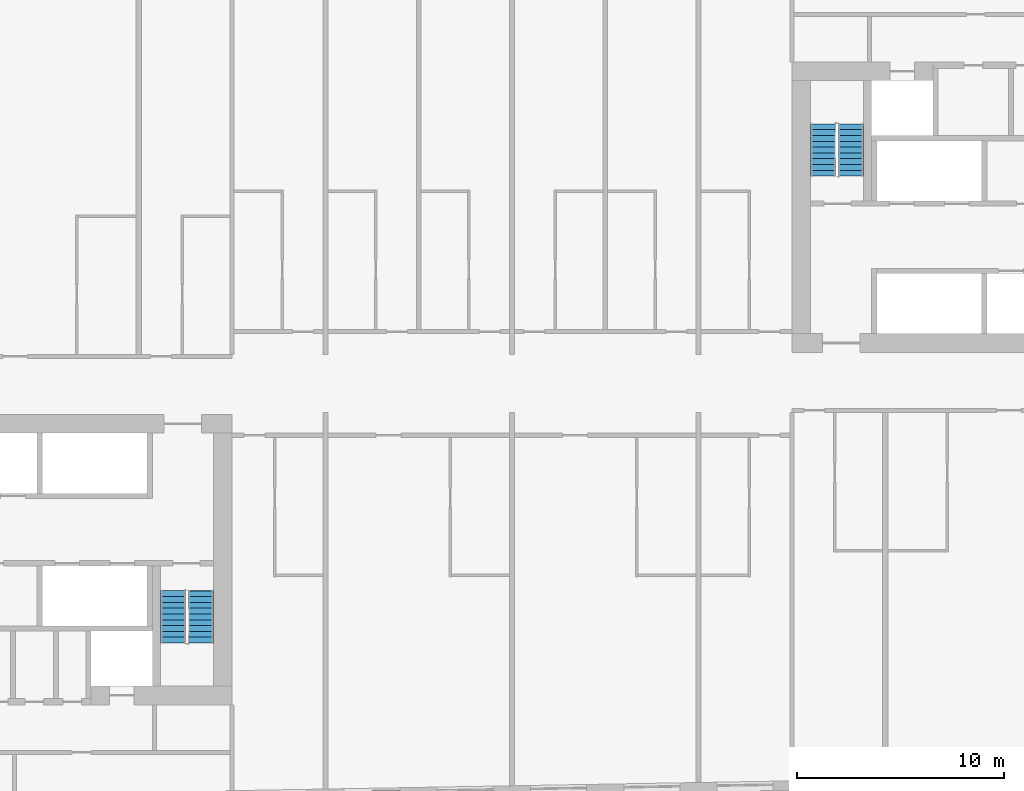
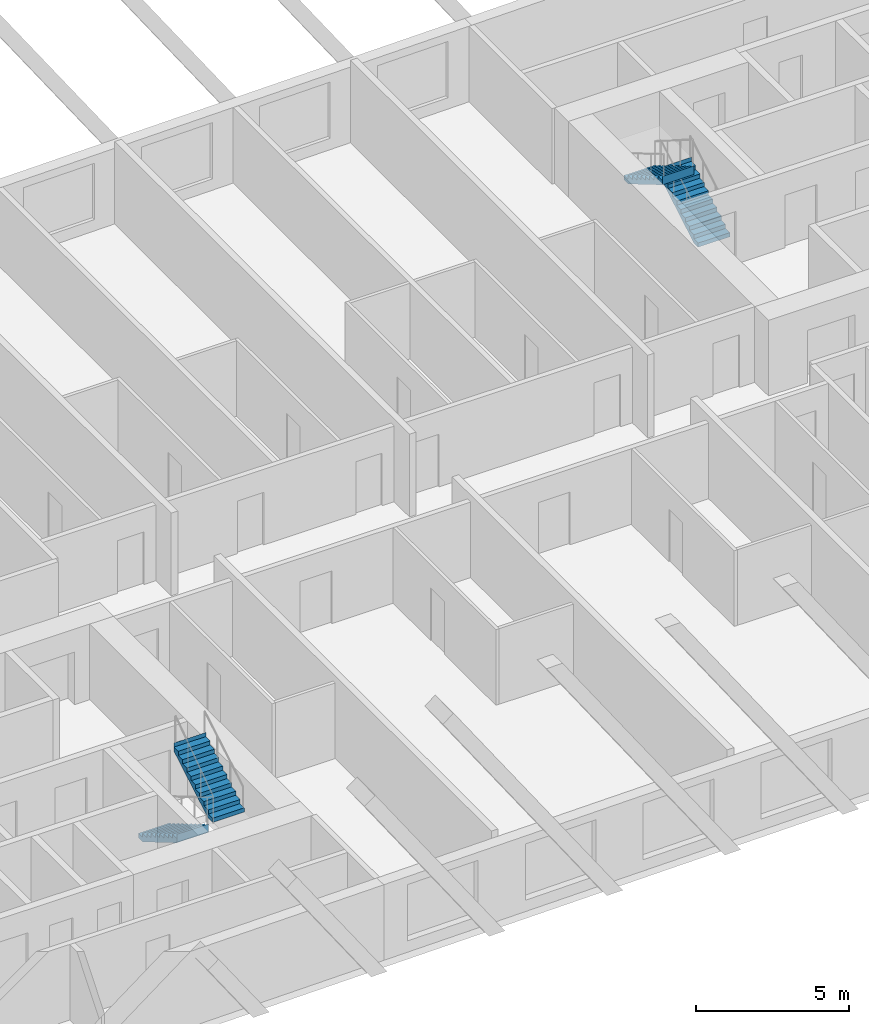
# One storey, part 9 of 12: 4 stair flights, 2 elements without a shape of their own.
"""IFC4 building model written with IfcOpenShell, lengths in metres."""

from ifc_helpers import new_model, si_unit, direction, frame, origin, place, context, subcontext, project, spatial, faceted_brep, material, type_object, element, aggregate, save


model = new_model("IFC4")

# Units and contexts
model_context = context("Model", 3, precision=1e-05, world=origin(), true_north=direction((0.0, 1.0)))
body_context = subcontext(model_context, "Body", "Model", "MODEL_VIEW")
ifc_project = project(units=[si_unit("LENGTHUNIT", "METRE"), si_unit("AREAUNIT", "SQUARE_METRE"), si_unit("VOLUMEUNIT", "CUBIC_METRE"), si_unit("PLANEANGLEUNIT", "RADIAN"), si_unit("MASSUNIT", "GRAM", prefix="KILO")], contexts=[model_context])

# Site, building, storey
site_placement = place(None, origin())
site = spatial("IfcSite", under=ifc_project, at=site_placement, CompositionType="ELEMENT")
building_placement = place(site_placement, origin())
building = spatial("IfcBuilding", under=site, at=building_placement, Name="Kajstack Hotel Tower", CompositionType="ELEMENT")
storey_placement = place(building_placement, frame((0.0, 0.0, 217.699951171875)))
storey = spatial("IfcBuildingStorey", under=building, at=storey_placement, Name="L52", CompositionType="ELEMENT", Elevation=217.699951171875)

# Stair, stair flights
ifc_material = material(Name="Concrete C40/50", Category="concrete")
stair_type = type_object("IfcStairType", Name="Exit stair 1200", PredefinedType="HALF_TURN_STAIR", material=ifc_material)
stair_1_placement = place(storey_placement, origin())
stair_1 = element("IfcStair", 1, at=stair_1_placement, inside=storey, type_object=stair_type, Name="L52 stair W2", PredefinedType="HALF_TURN_STAIR")
stair_flight_type = type_object("IfcStairFlightType", Name="Exit stair flight 1200", PredefinedType="STRAIGHT", material=ifc_material)
stair_flight_1_placement = place(storey_placement, frame((-16.35009765625, -10.0, 0.0), z_axis=(0.0, 0.0, 1.0), x_axis=(0.0, -1.0, 0.0)))
stair_flight_1 = element("IfcStairFlight", 2, at=stair_flight_1_placement, type_object=stair_flight_type, Name="W2 flight 1", NumberOfRisers=10, NumberOfTreads=9, PredefinedType="STRAIGHT", RiserHeight=0.165, TreadLength=0.28, context=body_context, shape_type="Brep", body=[
    faceted_brep([(0.295654296875, -0.60009765625, 0.0), (2.5205078125, -0.60009765625, 1.31103515625), (2.5205078125, -0.60009765625, 1.64990234375), (2.52001953125, -0.60009765625, 1.64990234375), (2.52001953125, -0.60009765625, 1.485107421875), (2.239990234375, -0.60009765625, 1.485107421875), (2.239990234375, -0.60009765625, 1.320068359375), (1.9599609375, -0.60009765625, 1.320068359375), (1.9599609375, -0.60009765625, 1.155029296875), (1.679931640625, -0.60009765625, 1.155029296875), (1.679931640625, -0.60009765625, 0.989990234375), (1.39990234375, -0.60009765625, 0.989990234375), (1.39990234375, -0.60009765625, 0.824951171875), (1.1201171875, -0.60009765625, 0.824951171875), (1.1201171875, -0.60009765625, 0.659912109375), (0.840087890625, -0.60009765625, 0.659912109375), (0.840087890625, -0.60009765625, 0.4951171875), (0.56005859375, -0.60009765625, 0.4951171875), (0.56005859375, -0.60009765625, 0.330078125), (0.280029296875, -0.60009765625, 0.330078125), (0.280029296875, -0.60009765625, 0.1650390625), (-0.00048828125, -0.60009765625, 0.1650390625), (-0.00048828125, -0.60009765625, 0.0), (-0.00048828125, 0.60009765625, 0.0), (-0.00048828125, 0.60009765625, 0.1650390625), (0.280029296875, 0.60009765625, 0.1650390625), (0.280029296875, 0.60009765625, 0.330078125), (0.56005859375, 0.60009765625, 0.330078125), (0.56005859375, 0.60009765625, 0.4951171875), (0.840087890625, 0.60009765625, 0.4951171875), (0.840087890625, 0.60009765625, 0.659912109375), (1.1201171875, 0.60009765625, 0.659912109375), (1.1201171875, 0.60009765625, 0.824951171875), (1.39990234375, 0.60009765625, 0.824951171875), (1.39990234375, 0.60009765625, 0.989990234375), (1.679931640625, 0.60009765625, 0.989990234375), (1.679931640625, 0.60009765625, 1.155029296875), (1.9599609375, 0.60009765625, 1.155029296875), (1.9599609375, 0.60009765625, 1.320068359375), (2.239990234375, 0.60009765625, 1.320068359375), (2.239990234375, 0.60009765625, 1.485107421875), (2.52001953125, 0.60009765625, 1.485107421875), (2.52001953125, 0.60009765625, 1.64990234375), (2.5205078125, 0.60009765625, 1.64990234375), (2.5205078125, 0.60009765625, 1.31103515625), (0.295654296875, 0.60009765625, 0.0), (-0.00048828125, -0.300048828125, 0.1650390625), (-0.00048828125, 0.0, 0.1650390625), (-0.00048828125, 0.300048828125, 0.1650390625), (-0.00048828125, 0.300048828125, 0.0), (-0.00048828125, 0.0, 0.0), (-0.00048828125, -0.300048828125, 0.0), (0.280029296875, -0.300048828125, 0.1650390625), (0.280029296875, 0.0, 0.1650390625), (0.280029296875, 0.300048828125, 0.1650390625), (0.280029296875, -0.300048828125, 0.330078125), (0.280029296875, 0.0, 0.330078125), (0.280029296875, 0.300048828125, 0.330078125), (0.56005859375, -0.300048828125, 0.330078125), (0.56005859375, 0.0, 0.330078125), (0.56005859375, 0.300048828125, 0.330078125), (0.56005859375, -0.300048828125, 0.4951171875), (0.56005859375, 0.0, 0.4951171875), (0.56005859375, 0.300048828125, 0.4951171875), (0.840087890625, -0.300048828125, 0.4951171875), (0.840087890625, 0.0, 0.4951171875), (0.840087890625, 0.300048828125, 0.4951171875), (0.840087890625, -0.300048828125, 0.659912109375), (0.840087890625, 0.0, 0.659912109375), (0.840087890625, 0.300048828125, 0.659912109375), (1.1201171875, -0.300048828125, 0.659912109375), (1.1201171875, 0.0, 0.659912109375), (1.1201171875, 0.300048828125, 0.659912109375), (1.1201171875, -0.300048828125, 0.824951171875), (1.1201171875, 0.0, 0.824951171875), (1.1201171875, 0.300048828125, 0.824951171875), (1.39990234375, -0.300048828125, 0.824951171875), (1.39990234375, 0.0, 0.824951171875), (1.39990234375, 0.300048828125, 0.824951171875), (1.39990234375, -0.300048828125, 0.989990234375), (1.39990234375, 0.0, 0.989990234375), (1.39990234375, 0.300048828125, 0.989990234375), (1.679931640625, -0.300048828125, 0.989990234375), (1.679931640625, 0.0, 0.989990234375), (1.679931640625, 0.300048828125, 0.989990234375), (1.679931640625, -0.300048828125, 1.155029296875), (1.679931640625, 0.0, 1.155029296875), (1.679931640625, 0.300048828125, 1.155029296875), (1.9599609375, -0.300048828125, 1.155029296875), (1.9599609375, 0.0, 1.155029296875), (1.9599609375, 0.300048828125, 1.155029296875), (1.9599609375, -0.300048828125, 1.320068359375), (1.9599609375, 0.0, 1.320068359375), (1.9599609375, 0.300048828125, 1.320068359375), (2.239990234375, -0.300048828125, 1.320068359375), (2.239990234375, 0.0, 1.320068359375), (2.239990234375, 0.300048828125, 1.320068359375), (2.239990234375, -0.300048828125, 1.485107421875), (2.239990234375, 0.0, 1.485107421875), (2.239990234375, 0.300048828125, 1.485107421875), (2.52001953125, -0.300048828125, 1.485107421875), (2.52001953125, 0.0, 1.485107421875), (2.52001953125, 0.300048828125, 1.485107421875), (2.52001953125, -0.300048828125, 1.64990234375), (2.52001953125, 0.0, 1.64990234375), (2.52001953125, 0.300048828125, 1.64990234375), (2.5205078125, -0.300048828125, 1.64990234375), (2.5205078125, 0.0, 1.64990234375), (2.5205078125, 0.300048828125, 1.64990234375), (2.5205078125, -0.300048828125, 1.31103515625), (2.5205078125, 0.0, 1.31103515625), (2.5205078125, 0.300048828125, 1.31103515625), (0.295654296875, -0.300048828125, 0.0), (0.295654296875, 0.0, 0.0), (0.295654296875, 0.300048828125, 0.0)], [[[0, 1, 2, 3, 4, 5, 6, 7, 8, 9, 10, 11, 12, 13, 14, 15, 16, 17, 18, 19, 20, 21, 22]], [[23, 24, 25, 26, 27, 28, 29, 30, 31, 32, 33, 34, 35, 36, 37, 38, 39, 40, 41, 42, 43, 44, 45]], [[21, 46, 47, 48, 24, 23, 49, 50, 51, 22]], [[20, 52, 53, 54, 25, 24, 48, 47, 46, 21]], [[19, 55, 56, 57, 26, 25, 54, 53, 52, 20]], [[18, 58, 59, 60, 27, 26, 57, 56, 55, 19]], [[17, 61, 62, 63, 28, 27, 60, 59, 58, 18]], [[16, 64, 65, 66, 29, 28, 63, 62, 61, 17]], [[15, 67, 68, 69, 30, 29, 66, 65, 64, 16]], [[14, 70, 71, 72, 31, 30, 69, 68, 67, 15]], [[13, 73, 74, 75, 32, 31, 72, 71, 70, 14]], [[12, 76, 77, 78, 33, 32, 75, 74, 73, 13]], [[11, 79, 80, 81, 34, 33, 78, 77, 76, 12]], [[10, 82, 83, 84, 35, 34, 81, 80, 79, 11]], [[9, 85, 86, 87, 36, 35, 84, 83, 82, 10]], [[8, 88, 89, 90, 37, 36, 87, 86, 85, 9]], [[7, 91, 92, 93, 38, 37, 90, 89, 88, 8]], [[6, 94, 95, 96, 39, 38, 93, 92, 91, 7]], [[5, 97, 98, 99, 40, 39, 96, 95, 94, 6]], [[4, 100, 101, 102, 41, 40, 99, 98, 97, 5]], [[3, 103, 104, 105, 42, 41, 102, 101, 100, 4]], [[2, 106, 107, 108, 43, 42, 105, 104, 103, 3]], [[1, 109, 110, 111, 44, 43, 108, 107, 106, 2]], [[0, 112, 113, 114, 45, 44, 111, 110, 109, 1]], [[22, 51, 50, 49, 23, 45, 114, 113, 112, 0]]]),
])
stair_flight_2_placement = place(storey_placement, frame((-15.0, -12.52001953125, 1.650146484375), z_axis=(0.0, 0.0, 1.0), x_axis=(0.0, 1.0, 0.0)))
stair_flight_2 = element("IfcStairFlight", 3, at=stair_flight_2_placement, type_object=stair_flight_type, Name="W2 flight 2", NumberOfRisers=10, NumberOfTreads=9, PredefinedType="STRAIGHT", RiserHeight=0.165, TreadLength=0.28, context=body_context, shape_type="Brep", body=[
    faceted_brep([(0.295654296875, -0.60009765625, 0.0), (2.5205078125, -0.60009765625, 1.31103515625), (2.5205078125, -0.60009765625, 1.64990234375), (2.52001953125, -0.60009765625, 1.64990234375), (2.52001953125, -0.60009765625, 1.485107421875), (2.239990234375, -0.60009765625, 1.485107421875), (2.239990234375, -0.60009765625, 1.320068359375), (1.9599609375, -0.60009765625, 1.320068359375), (1.9599609375, -0.60009765625, 1.155029296875), (1.679931640625, -0.60009765625, 1.155029296875), (1.679931640625, -0.60009765625, 0.989990234375), (1.39990234375, -0.60009765625, 0.989990234375), (1.39990234375, -0.60009765625, 0.824951171875), (1.1201171875, -0.60009765625, 0.824951171875), (1.1201171875, -0.60009765625, 0.659912109375), (0.840087890625, -0.60009765625, 0.659912109375), (0.840087890625, -0.60009765625, 0.4951171875), (0.56005859375, -0.60009765625, 0.4951171875), (0.56005859375, -0.60009765625, 0.330078125), (0.280029296875, -0.60009765625, 0.330078125), (0.280029296875, -0.60009765625, 0.1650390625), (-0.00048828125, -0.60009765625, 0.1650390625), (-0.00048828125, -0.60009765625, 0.0), (-0.00048828125, 0.60009765625, 0.0), (-0.00048828125, 0.60009765625, 0.1650390625), (0.280029296875, 0.60009765625, 0.1650390625), (0.280029296875, 0.60009765625, 0.330078125), (0.56005859375, 0.60009765625, 0.330078125), (0.56005859375, 0.60009765625, 0.4951171875), (0.840087890625, 0.60009765625, 0.4951171875), (0.840087890625, 0.60009765625, 0.659912109375), (1.1201171875, 0.60009765625, 0.659912109375), (1.1201171875, 0.60009765625, 0.824951171875), (1.39990234375, 0.60009765625, 0.824951171875), (1.39990234375, 0.60009765625, 0.989990234375), (1.679931640625, 0.60009765625, 0.989990234375), (1.679931640625, 0.60009765625, 1.155029296875), (1.9599609375, 0.60009765625, 1.155029296875), (1.9599609375, 0.60009765625, 1.320068359375), (2.239990234375, 0.60009765625, 1.320068359375), (2.239990234375, 0.60009765625, 1.485107421875), (2.52001953125, 0.60009765625, 1.485107421875), (2.52001953125, 0.60009765625, 1.64990234375), (2.5205078125, 0.60009765625, 1.64990234375), (2.5205078125, 0.60009765625, 1.31103515625), (0.295654296875, 0.60009765625, 0.0), (-0.00048828125, -0.300048828125, 0.1650390625), (-0.00048828125, 0.0, 0.1650390625), (-0.00048828125, 0.300048828125, 0.1650390625), (-0.00048828125, 0.300048828125, 0.0), (-0.00048828125, 0.0, 0.0), (-0.00048828125, -0.300048828125, 0.0), (0.280029296875, -0.300048828125, 0.1650390625), (0.280029296875, 0.0, 0.1650390625), (0.280029296875, 0.300048828125, 0.1650390625), (0.280029296875, -0.300048828125, 0.330078125), (0.280029296875, 0.0, 0.330078125), (0.280029296875, 0.300048828125, 0.330078125), (0.56005859375, -0.300048828125, 0.330078125), (0.56005859375, 0.0, 0.330078125), (0.56005859375, 0.300048828125, 0.330078125), (0.56005859375, -0.300048828125, 0.4951171875), (0.56005859375, 0.0, 0.4951171875), (0.56005859375, 0.300048828125, 0.4951171875), (0.840087890625, -0.300048828125, 0.4951171875), (0.840087890625, 0.0, 0.4951171875), (0.840087890625, 0.300048828125, 0.4951171875), (0.840087890625, -0.300048828125, 0.659912109375), (0.840087890625, 0.0, 0.659912109375), (0.840087890625, 0.300048828125, 0.659912109375), (1.1201171875, -0.300048828125, 0.659912109375), (1.1201171875, 0.0, 0.659912109375), (1.1201171875, 0.300048828125, 0.659912109375), (1.1201171875, -0.300048828125, 0.824951171875), (1.1201171875, 0.0, 0.824951171875), (1.1201171875, 0.300048828125, 0.824951171875), (1.39990234375, -0.300048828125, 0.824951171875), (1.39990234375, 0.0, 0.824951171875), (1.39990234375, 0.300048828125, 0.824951171875), (1.39990234375, -0.300048828125, 0.989990234375), (1.39990234375, 0.0, 0.989990234375), (1.39990234375, 0.300048828125, 0.989990234375), (1.679931640625, -0.300048828125, 0.989990234375), (1.679931640625, 0.0, 0.989990234375), (1.679931640625, 0.300048828125, 0.989990234375), (1.679931640625, -0.300048828125, 1.155029296875), (1.679931640625, 0.0, 1.155029296875), (1.679931640625, 0.300048828125, 1.155029296875), (1.9599609375, -0.300048828125, 1.155029296875), (1.9599609375, 0.0, 1.155029296875), (1.9599609375, 0.300048828125, 1.155029296875), (1.9599609375, -0.300048828125, 1.320068359375), (1.9599609375, 0.0, 1.320068359375), (1.9599609375, 0.300048828125, 1.320068359375), (2.239990234375, -0.300048828125, 1.320068359375), (2.239990234375, 0.0, 1.320068359375), (2.239990234375, 0.300048828125, 1.320068359375), (2.239990234375, -0.300048828125, 1.485107421875), (2.239990234375, 0.0, 1.485107421875), (2.239990234375, 0.300048828125, 1.485107421875), (2.52001953125, -0.300048828125, 1.485107421875), (2.52001953125, 0.0, 1.485107421875), (2.52001953125, 0.300048828125, 1.485107421875), (2.52001953125, -0.300048828125, 1.64990234375), (2.52001953125, 0.0, 1.64990234375), (2.52001953125, 0.300048828125, 1.64990234375), (2.5205078125, -0.300048828125, 1.64990234375), (2.5205078125, 0.0, 1.64990234375), (2.5205078125, 0.300048828125, 1.64990234375), (2.5205078125, -0.300048828125, 1.31103515625), (2.5205078125, 0.0, 1.31103515625), (2.5205078125, 0.300048828125, 1.31103515625), (0.295654296875, -0.300048828125, 0.0), (0.295654296875, 0.0, 0.0), (0.295654296875, 0.300048828125, 0.0)], [[[0, 1, 2, 3, 4, 5, 6, 7, 8, 9, 10, 11, 12, 13, 14, 15, 16, 17, 18, 19, 20, 21, 22]], [[23, 24, 25, 26, 27, 28, 29, 30, 31, 32, 33, 34, 35, 36, 37, 38, 39, 40, 41, 42, 43, 44, 45]], [[21, 46, 47, 48, 24, 23, 49, 50, 51, 22]], [[20, 52, 53, 54, 25, 24, 48, 47, 46, 21]], [[19, 55, 56, 57, 26, 25, 54, 53, 52, 20]], [[18, 58, 59, 60, 27, 26, 57, 56, 55, 19]], [[17, 61, 62, 63, 28, 27, 60, 59, 58, 18]], [[16, 64, 65, 66, 29, 28, 63, 62, 61, 17]], [[15, 67, 68, 69, 30, 29, 66, 65, 64, 16]], [[14, 70, 71, 72, 31, 30, 69, 68, 67, 15]], [[13, 73, 74, 75, 32, 31, 72, 71, 70, 14]], [[12, 76, 77, 78, 33, 32, 75, 74, 73, 13]], [[11, 79, 80, 81, 34, 33, 78, 77, 76, 12]], [[10, 82, 83, 84, 35, 34, 81, 80, 79, 11]], [[9, 85, 86, 87, 36, 35, 84, 83, 82, 10]], [[8, 88, 89, 90, 37, 36, 87, 86, 85, 9]], [[7, 91, 92, 93, 38, 37, 90, 89, 88, 8]], [[6, 94, 95, 96, 39, 38, 93, 92, 91, 7]], [[5, 97, 98, 99, 40, 39, 96, 95, 94, 6]], [[4, 100, 101, 102, 41, 40, 99, 98, 97, 5]], [[3, 103, 104, 105, 42, 41, 102, 101, 100, 4]], [[2, 106, 107, 108, 43, 42, 105, 104, 103, 3]], [[1, 109, 110, 111, 44, 43, 108, 107, 106, 2]], [[0, 112, 113, 114, 45, 44, 111, 110, 109, 1]], [[22, 51, 50, 49, 23, 45, 114, 113, 112, 0]]]),
])
aggregate(stair_1, [stair_flight_1, stair_flight_2])

stair_2_placement = place(storey_placement, origin())
stair_2 = element("IfcStair", 4, at=stair_2_placement, inside=storey, type_object=stair_type, Name="L52 stair E2", PredefinedType="HALF_TURN_STAIR")
stair_flight_3_placement = place(storey_placement, frame((16.35009765625, 10.0, 0.0), z_axis=(0.0, 0.0, 1.0), x_axis=(0.0, 1.0, 0.0)))
stair_flight_3 = element("IfcStairFlight", 5, at=stair_flight_3_placement, type_object=stair_flight_type, Name="E2 flight 1", NumberOfRisers=10, NumberOfTreads=9, PredefinedType="STRAIGHT", RiserHeight=0.165, TreadLength=0.28, context=body_context, shape_type="Brep", body=[
    faceted_brep([(0.295654296875, -0.60009765625, 0.0), (2.5205078125, -0.60009765625, 1.31103515625), (2.5205078125, -0.60009765625, 1.64990234375), (2.52001953125, -0.60009765625, 1.64990234375), (2.52001953125, -0.60009765625, 1.485107421875), (2.239990234375, -0.60009765625, 1.485107421875), (2.239990234375, -0.60009765625, 1.320068359375), (1.9599609375, -0.60009765625, 1.320068359375), (1.9599609375, -0.60009765625, 1.155029296875), (1.679931640625, -0.60009765625, 1.155029296875), (1.679931640625, -0.60009765625, 0.989990234375), (1.39990234375, -0.60009765625, 0.989990234375), (1.39990234375, -0.60009765625, 0.824951171875), (1.1201171875, -0.60009765625, 0.824951171875), (1.1201171875, -0.60009765625, 0.659912109375), (0.840087890625, -0.60009765625, 0.659912109375), (0.840087890625, -0.60009765625, 0.4951171875), (0.56005859375, -0.60009765625, 0.4951171875), (0.56005859375, -0.60009765625, 0.330078125), (0.280029296875, -0.60009765625, 0.330078125), (0.280029296875, -0.60009765625, 0.1650390625), (-0.00048828125, -0.60009765625, 0.1650390625), (-0.00048828125, -0.60009765625, 0.0), (-0.00048828125, 0.60009765625, 0.0), (-0.00048828125, 0.60009765625, 0.1650390625), (0.280029296875, 0.60009765625, 0.1650390625), (0.280029296875, 0.60009765625, 0.330078125), (0.56005859375, 0.60009765625, 0.330078125), (0.56005859375, 0.60009765625, 0.4951171875), (0.840087890625, 0.60009765625, 0.4951171875), (0.840087890625, 0.60009765625, 0.659912109375), (1.1201171875, 0.60009765625, 0.659912109375), (1.1201171875, 0.60009765625, 0.824951171875), (1.39990234375, 0.60009765625, 0.824951171875), (1.39990234375, 0.60009765625, 0.989990234375), (1.679931640625, 0.60009765625, 0.989990234375), (1.679931640625, 0.60009765625, 1.155029296875), (1.9599609375, 0.60009765625, 1.155029296875), (1.9599609375, 0.60009765625, 1.320068359375), (2.239990234375, 0.60009765625, 1.320068359375), (2.239990234375, 0.60009765625, 1.485107421875), (2.52001953125, 0.60009765625, 1.485107421875), (2.52001953125, 0.60009765625, 1.64990234375), (2.5205078125, 0.60009765625, 1.64990234375), (2.5205078125, 0.60009765625, 1.31103515625), (0.295654296875, 0.60009765625, 0.0), (-0.00048828125, -0.300048828125, 0.1650390625), (-0.00048828125, 0.0, 0.1650390625), (-0.00048828125, 0.300048828125, 0.1650390625), (-0.00048828125, 0.300048828125, 0.0), (-0.00048828125, 0.0, 0.0), (-0.00048828125, -0.300048828125, 0.0), (0.280029296875, -0.300048828125, 0.1650390625), (0.280029296875, 0.0, 0.1650390625), (0.280029296875, 0.300048828125, 0.1650390625), (0.280029296875, -0.300048828125, 0.330078125), (0.280029296875, 0.0, 0.330078125), (0.280029296875, 0.300048828125, 0.330078125), (0.56005859375, -0.300048828125, 0.330078125), (0.56005859375, 0.0, 0.330078125), (0.56005859375, 0.300048828125, 0.330078125), (0.56005859375, -0.300048828125, 0.4951171875), (0.56005859375, 0.0, 0.4951171875), (0.56005859375, 0.300048828125, 0.4951171875), (0.840087890625, -0.300048828125, 0.4951171875), (0.840087890625, 0.0, 0.4951171875), (0.840087890625, 0.300048828125, 0.4951171875), (0.840087890625, -0.300048828125, 0.659912109375), (0.840087890625, 0.0, 0.659912109375), (0.840087890625, 0.300048828125, 0.659912109375), (1.1201171875, -0.300048828125, 0.659912109375), (1.1201171875, 0.0, 0.659912109375), (1.1201171875, 0.300048828125, 0.659912109375), (1.1201171875, -0.300048828125, 0.824951171875), (1.1201171875, 0.0, 0.824951171875), (1.1201171875, 0.300048828125, 0.824951171875), (1.39990234375, -0.300048828125, 0.824951171875), (1.39990234375, 0.0, 0.824951171875), (1.39990234375, 0.300048828125, 0.824951171875), (1.39990234375, -0.300048828125, 0.989990234375), (1.39990234375, 0.0, 0.989990234375), (1.39990234375, 0.300048828125, 0.989990234375), (1.679931640625, -0.300048828125, 0.989990234375), (1.679931640625, 0.0, 0.989990234375), (1.679931640625, 0.300048828125, 0.989990234375), (1.679931640625, -0.300048828125, 1.155029296875), (1.679931640625, 0.0, 1.155029296875), (1.679931640625, 0.300048828125, 1.155029296875), (1.9599609375, -0.300048828125, 1.155029296875), (1.9599609375, 0.0, 1.155029296875), (1.9599609375, 0.300048828125, 1.155029296875), (1.9599609375, -0.300048828125, 1.320068359375), (1.9599609375, 0.0, 1.320068359375), (1.9599609375, 0.300048828125, 1.320068359375), (2.239990234375, -0.300048828125, 1.320068359375), (2.239990234375, 0.0, 1.320068359375), (2.239990234375, 0.300048828125, 1.320068359375), (2.239990234375, -0.300048828125, 1.485107421875), (2.239990234375, 0.0, 1.485107421875), (2.239990234375, 0.300048828125, 1.485107421875), (2.52001953125, -0.300048828125, 1.485107421875), (2.52001953125, 0.0, 1.485107421875), (2.52001953125, 0.300048828125, 1.485107421875), (2.52001953125, -0.300048828125, 1.64990234375), (2.52001953125, 0.0, 1.64990234375), (2.52001953125, 0.300048828125, 1.64990234375), (2.5205078125, -0.300048828125, 1.64990234375), (2.5205078125, 0.0, 1.64990234375), (2.5205078125, 0.300048828125, 1.64990234375), (2.5205078125, -0.300048828125, 1.31103515625), (2.5205078125, 0.0, 1.31103515625), (2.5205078125, 0.300048828125, 1.31103515625), (0.295654296875, -0.300048828125, 0.0), (0.295654296875, 0.0, 0.0), (0.295654296875, 0.300048828125, 0.0)], [[[0, 1, 2, 3, 4, 5, 6, 7, 8, 9, 10, 11, 12, 13, 14, 15, 16, 17, 18, 19, 20, 21, 22]], [[23, 24, 25, 26, 27, 28, 29, 30, 31, 32, 33, 34, 35, 36, 37, 38, 39, 40, 41, 42, 43, 44, 45]], [[21, 46, 47, 48, 24, 23, 49, 50, 51, 22]], [[20, 52, 53, 54, 25, 24, 48, 47, 46, 21]], [[19, 55, 56, 57, 26, 25, 54, 53, 52, 20]], [[18, 58, 59, 60, 27, 26, 57, 56, 55, 19]], [[17, 61, 62, 63, 28, 27, 60, 59, 58, 18]], [[16, 64, 65, 66, 29, 28, 63, 62, 61, 17]], [[15, 67, 68, 69, 30, 29, 66, 65, 64, 16]], [[14, 70, 71, 72, 31, 30, 69, 68, 67, 15]], [[13, 73, 74, 75, 32, 31, 72, 71, 70, 14]], [[12, 76, 77, 78, 33, 32, 75, 74, 73, 13]], [[11, 79, 80, 81, 34, 33, 78, 77, 76, 12]], [[10, 82, 83, 84, 35, 34, 81, 80, 79, 11]], [[9, 85, 86, 87, 36, 35, 84, 83, 82, 10]], [[8, 88, 89, 90, 37, 36, 87, 86, 85, 9]], [[7, 91, 92, 93, 38, 37, 90, 89, 88, 8]], [[6, 94, 95, 96, 39, 38, 93, 92, 91, 7]], [[5, 97, 98, 99, 40, 39, 96, 95, 94, 6]], [[4, 100, 101, 102, 41, 40, 99, 98, 97, 5]], [[3, 103, 104, 105, 42, 41, 102, 101, 100, 4]], [[2, 106, 107, 108, 43, 42, 105, 104, 103, 3]], [[1, 109, 110, 111, 44, 43, 108, 107, 106, 2]], [[0, 112, 113, 114, 45, 44, 111, 110, 109, 1]], [[22, 51, 50, 49, 23, 45, 114, 113, 112, 0]]]),
])
stair_flight_4_placement = place(storey_placement, frame((15.0, 12.52001953125, 1.650146484375), z_axis=(0.0, 0.0, 1.0), x_axis=(0.0, -1.0, 0.0)))
stair_flight_4 = element("IfcStairFlight", 6, at=stair_flight_4_placement, type_object=stair_flight_type, Name="E2 flight 2", NumberOfRisers=10, NumberOfTreads=9, PredefinedType="STRAIGHT", RiserHeight=0.165, TreadLength=0.28, context=body_context, shape_type="Brep", body=[
    faceted_brep([(0.295654296875, -0.60009765625, 0.0), (2.5205078125, -0.60009765625, 1.31103515625), (2.5205078125, -0.60009765625, 1.64990234375), (2.52001953125, -0.60009765625, 1.64990234375), (2.52001953125, -0.60009765625, 1.485107421875), (2.239990234375, -0.60009765625, 1.485107421875), (2.239990234375, -0.60009765625, 1.320068359375), (1.9599609375, -0.60009765625, 1.320068359375), (1.9599609375, -0.60009765625, 1.155029296875), (1.679931640625, -0.60009765625, 1.155029296875), (1.679931640625, -0.60009765625, 0.989990234375), (1.39990234375, -0.60009765625, 0.989990234375), (1.39990234375, -0.60009765625, 0.824951171875), (1.1201171875, -0.60009765625, 0.824951171875), (1.1201171875, -0.60009765625, 0.659912109375), (0.840087890625, -0.60009765625, 0.659912109375), (0.840087890625, -0.60009765625, 0.4951171875), (0.56005859375, -0.60009765625, 0.4951171875), (0.56005859375, -0.60009765625, 0.330078125), (0.280029296875, -0.60009765625, 0.330078125), (0.280029296875, -0.60009765625, 0.1650390625), (-0.00048828125, -0.60009765625, 0.1650390625), (-0.00048828125, -0.60009765625, 0.0), (-0.00048828125, 0.60009765625, 0.0), (-0.00048828125, 0.60009765625, 0.1650390625), (0.280029296875, 0.60009765625, 0.1650390625), (0.280029296875, 0.60009765625, 0.330078125), (0.56005859375, 0.60009765625, 0.330078125), (0.56005859375, 0.60009765625, 0.4951171875), (0.840087890625, 0.60009765625, 0.4951171875), (0.840087890625, 0.60009765625, 0.659912109375), (1.1201171875, 0.60009765625, 0.659912109375), (1.1201171875, 0.60009765625, 0.824951171875), (1.39990234375, 0.60009765625, 0.824951171875), (1.39990234375, 0.60009765625, 0.989990234375), (1.679931640625, 0.60009765625, 0.989990234375), (1.679931640625, 0.60009765625, 1.155029296875), (1.9599609375, 0.60009765625, 1.155029296875), (1.9599609375, 0.60009765625, 1.320068359375), (2.239990234375, 0.60009765625, 1.320068359375), (2.239990234375, 0.60009765625, 1.485107421875), (2.52001953125, 0.60009765625, 1.485107421875), (2.52001953125, 0.60009765625, 1.64990234375), (2.5205078125, 0.60009765625, 1.64990234375), (2.5205078125, 0.60009765625, 1.31103515625), (0.295654296875, 0.60009765625, 0.0), (-0.00048828125, -0.300048828125, 0.1650390625), (-0.00048828125, 0.0, 0.1650390625), (-0.00048828125, 0.300048828125, 0.1650390625), (-0.00048828125, 0.300048828125, 0.0), (-0.00048828125, 0.0, 0.0), (-0.00048828125, -0.300048828125, 0.0), (0.280029296875, -0.300048828125, 0.1650390625), (0.280029296875, 0.0, 0.1650390625), (0.280029296875, 0.300048828125, 0.1650390625), (0.280029296875, -0.300048828125, 0.330078125), (0.280029296875, 0.0, 0.330078125), (0.280029296875, 0.300048828125, 0.330078125), (0.56005859375, -0.300048828125, 0.330078125), (0.56005859375, 0.0, 0.330078125), (0.56005859375, 0.300048828125, 0.330078125), (0.56005859375, -0.300048828125, 0.4951171875), (0.56005859375, 0.0, 0.4951171875), (0.56005859375, 0.300048828125, 0.4951171875), (0.840087890625, -0.300048828125, 0.4951171875), (0.840087890625, 0.0, 0.4951171875), (0.840087890625, 0.300048828125, 0.4951171875), (0.840087890625, -0.300048828125, 0.659912109375), (0.840087890625, 0.0, 0.659912109375), (0.840087890625, 0.300048828125, 0.659912109375), (1.1201171875, -0.300048828125, 0.659912109375), (1.1201171875, 0.0, 0.659912109375), (1.1201171875, 0.300048828125, 0.659912109375), (1.1201171875, -0.300048828125, 0.824951171875), (1.1201171875, 0.0, 0.824951171875), (1.1201171875, 0.300048828125, 0.824951171875), (1.39990234375, -0.300048828125, 0.824951171875), (1.39990234375, 0.0, 0.824951171875), (1.39990234375, 0.300048828125, 0.824951171875), (1.39990234375, -0.300048828125, 0.989990234375), (1.39990234375, 0.0, 0.989990234375), (1.39990234375, 0.300048828125, 0.989990234375), (1.679931640625, -0.300048828125, 0.989990234375), (1.679931640625, 0.0, 0.989990234375), (1.679931640625, 0.300048828125, 0.989990234375), (1.679931640625, -0.300048828125, 1.155029296875), (1.679931640625, 0.0, 1.155029296875), (1.679931640625, 0.300048828125, 1.155029296875), (1.9599609375, -0.300048828125, 1.155029296875), (1.9599609375, 0.0, 1.155029296875), (1.9599609375, 0.300048828125, 1.155029296875), (1.9599609375, -0.300048828125, 1.320068359375), (1.9599609375, 0.0, 1.320068359375), (1.9599609375, 0.300048828125, 1.320068359375), (2.239990234375, -0.300048828125, 1.320068359375), (2.239990234375, 0.0, 1.320068359375), (2.239990234375, 0.300048828125, 1.320068359375), (2.239990234375, -0.300048828125, 1.485107421875), (2.239990234375, 0.0, 1.485107421875), (2.239990234375, 0.300048828125, 1.485107421875), (2.52001953125, -0.300048828125, 1.485107421875), (2.52001953125, 0.0, 1.485107421875), (2.52001953125, 0.300048828125, 1.485107421875), (2.52001953125, -0.300048828125, 1.64990234375), (2.52001953125, 0.0, 1.64990234375), (2.52001953125, 0.300048828125, 1.64990234375), (2.5205078125, -0.300048828125, 1.64990234375), (2.5205078125, 0.0, 1.64990234375), (2.5205078125, 0.300048828125, 1.64990234375), (2.5205078125, -0.300048828125, 1.31103515625), (2.5205078125, 0.0, 1.31103515625), (2.5205078125, 0.300048828125, 1.31103515625), (0.295654296875, -0.300048828125, 0.0), (0.295654296875, 0.0, 0.0), (0.295654296875, 0.300048828125, 0.0)], [[[0, 1, 2, 3, 4, 5, 6, 7, 8, 9, 10, 11, 12, 13, 14, 15, 16, 17, 18, 19, 20, 21, 22]], [[23, 24, 25, 26, 27, 28, 29, 30, 31, 32, 33, 34, 35, 36, 37, 38, 39, 40, 41, 42, 43, 44, 45]], [[21, 46, 47, 48, 24, 23, 49, 50, 51, 22]], [[20, 52, 53, 54, 25, 24, 48, 47, 46, 21]], [[19, 55, 56, 57, 26, 25, 54, 53, 52, 20]], [[18, 58, 59, 60, 27, 26, 57, 56, 55, 19]], [[17, 61, 62, 63, 28, 27, 60, 59, 58, 18]], [[16, 64, 65, 66, 29, 28, 63, 62, 61, 17]], [[15, 67, 68, 69, 30, 29, 66, 65, 64, 16]], [[14, 70, 71, 72, 31, 30, 69, 68, 67, 15]], [[13, 73, 74, 75, 32, 31, 72, 71, 70, 14]], [[12, 76, 77, 78, 33, 32, 75, 74, 73, 13]], [[11, 79, 80, 81, 34, 33, 78, 77, 76, 12]], [[10, 82, 83, 84, 35, 34, 81, 80, 79, 11]], [[9, 85, 86, 87, 36, 35, 84, 83, 82, 10]], [[8, 88, 89, 90, 37, 36, 87, 86, 85, 9]], [[7, 91, 92, 93, 38, 37, 90, 89, 88, 8]], [[6, 94, 95, 96, 39, 38, 93, 92, 91, 7]], [[5, 97, 98, 99, 40, 39, 96, 95, 94, 6]], [[4, 100, 101, 102, 41, 40, 99, 98, 97, 5]], [[3, 103, 104, 105, 42, 41, 102, 101, 100, 4]], [[2, 106, 107, 108, 43, 42, 105, 104, 103, 3]], [[1, 109, 110, 111, 44, 43, 108, 107, 106, 2]], [[0, 112, 113, 114, 45, 44, 111, 110, 109, 1]], [[22, 51, 50, 49, 23, 45, 114, 113, 112, 0]]]),
])
aggregate(stair_2, [stair_flight_3, stair_flight_4])

save(model, "model.ifc")
